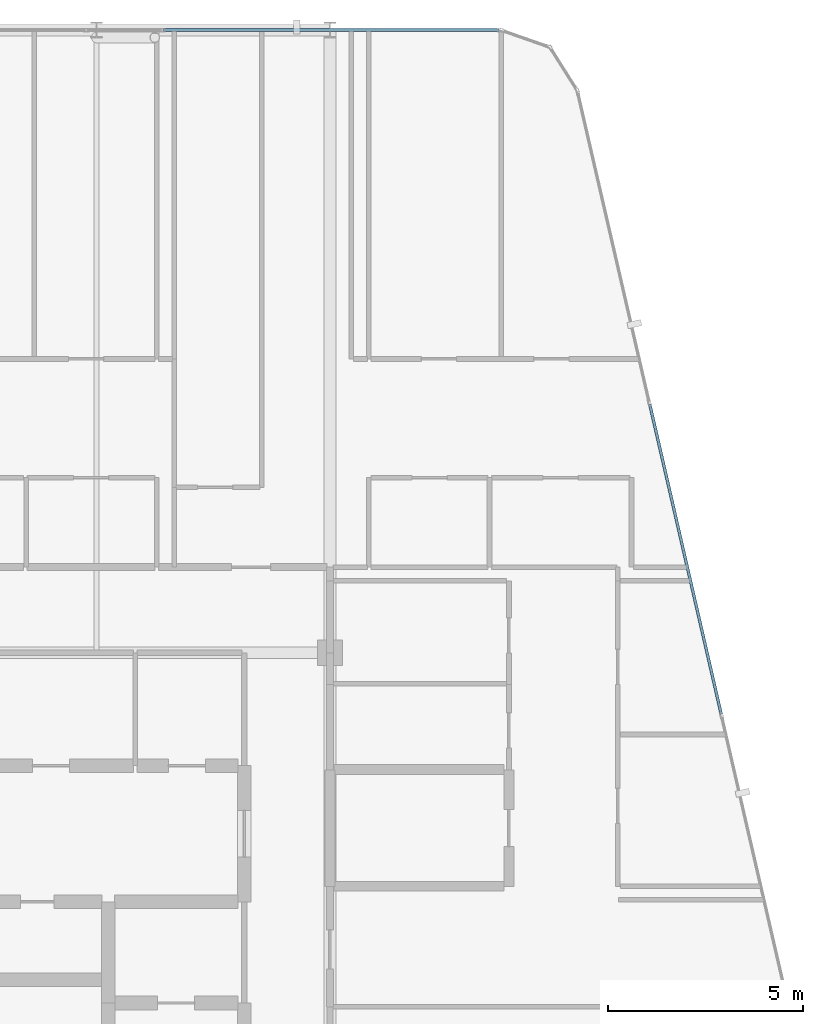
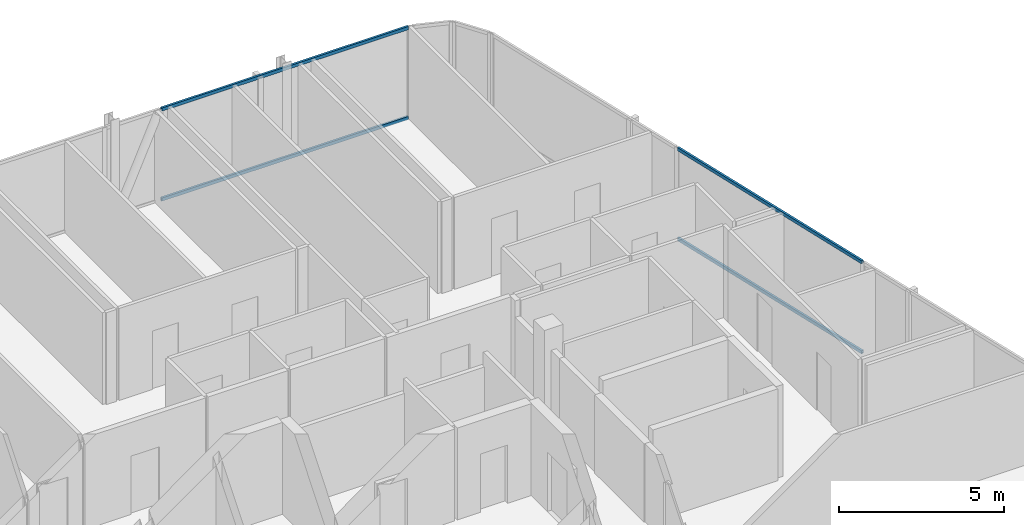
# One storey, part 18 of 28: 4 members, 2 elements without a shape of their own.
"""IFC4 building model written with IfcOpenShell, lengths in metres."""

from ifc_helpers import new_model, si_unit, direction, frame, origin, origin_2d, place, context, subcontext, project, spatial, hollow_rectangle, extrude, material, layer, layer_set, material_profile, profile_set, type_object, element, aggregate, save


model = new_model("IFC4")

# Units and contexts
model_context = context("Model", 3, precision=1e-05, world=origin(), true_north=direction((0.0, 1.0)))
body_context = subcontext(model_context, "Body", "Model", "MODEL_VIEW")
ifc_project = project(units=[si_unit("LENGTHUNIT", "METRE"), si_unit("AREAUNIT", "SQUARE_METRE"), si_unit("VOLUMEUNIT", "CUBIC_METRE"), si_unit("PLANEANGLEUNIT", "RADIAN"), si_unit("MASSUNIT", "GRAM", prefix="KILO")], contexts=[model_context])

# Site, building, storey
site_placement = place(None, origin())
site = spatial("IfcSite", under=ifc_project, at=site_placement, CompositionType="ELEMENT")
building_placement = place(site_placement, origin())
building = spatial("IfcBuilding", under=site, at=building_placement, Name="Keshet Zoharim Tower", CompositionType="ELEMENT")
storey_placement = place(building_placement, frame((0.0, 0.0, 303.60009765625)))
storey = spatial("IfcBuildingStorey", under=building, at=storey_placement, Name="L76", CompositionType="ELEMENT", Elevation=303.60009765625)

# Curtain wall, members
ifc_material = material(Name="Aluminium 6063-T6", Category="aluminium")
ifc_layer = layer(ifc_material, 0.260009765625)
ifc_layer_set = layer_set([ifc_layer], Name="Aluminium 6063-T6")
curtain_wall_type = type_object("IfcCurtainWallType", Name="CW-SYS-06", PredefinedType="NOTDEFINED", material=ifc_layer_set)
curtain_wall_1_placement = place(storey_placement, origin())
curtain_wall_1 = element("IfcCurtainWall", 1, at=curtain_wall_1_placement, inside=storey, type_object=curtain_wall_type, Name="L76 Unitised Curtain Wall 06 Part 5", PredefinedType="NOTDEFINED")
ifc_material_profile = material_profile(ifc_material, hollow_rectangle(XDim=0.074951171875, YDim=0.1201171875, WallThickness=0.00390625, at=origin_2d()), Name="TRN-75x120")
ifc_profile_set = profile_set([ifc_material_profile], Name="Aluminium 6063-T6")
member_type = type_object("IfcMemberType", Name="CWT-T12", PredefinedType="USERDEFINED", material=ifc_profile_set)
member_1_placement = place(storey_placement, frame((28.724853515625, 53.89990234375, 0.034912109375), z_axis=(1.0, 0.0, 0.0), x_axis=(0.0, 1.0, 0.0)))
member_1 = element("IfcMember", 2, at=member_1_placement, type_object=member_type, Name="CW-06 transom 1.1", ObjectType="TRANSOM", PredefinedType="USERDEFINED", context=body_context, shape_type="SweptSolid", body=[
    extrude(hollow_rectangle(XDim=0.074951171875, YDim=0.1201171875, WallThickness=0.00390625, at=origin_2d()), origin(), (0.0, 0.0, 1.0), 8.6142578125),
])
member_2_placement = place(storey_placement, frame((28.724853515625, 53.89990234375, 3.35498046875), z_axis=(1.0, 0.0, 0.0), x_axis=(0.0, 1.0, 0.0)))
member_2 = element("IfcMember", 3, at=member_2_placement, type_object=member_type, Name="CW-06 transom 1.2", ObjectType="TRANSOM", PredefinedType="USERDEFINED", context=body_context, shape_type="SweptSolid", body=[
    extrude(hollow_rectangle(XDim=0.074951171875, YDim=0.1201171875, WallThickness=0.00390625, at=origin_2d()), origin(), (0.0, 0.0, 1.0), 8.6142578125),
])
aggregate(curtain_wall_1, [member_1, member_2])

curtain_wall_2_placement = place(storey_placement, origin())
curtain_wall_2 = element("IfcCurtainWall", 4, at=curtain_wall_2_placement, inside=storey, type_object=curtain_wall_type, Name="L76 Unitised Curtain Wall 09", PredefinedType="NOTDEFINED")
member_3_placement = place(storey_placement, frame((41.218505859375, 44.28662109375, 0.034912109375), z_axis=(0.224826771459, -0.974398749402, 0.0), x_axis=(0.974398749402, 0.224826771459, 0.0)))
member_3 = element("IfcMember", 5, at=member_3_placement, type_object=member_type, Name="CW-06 transom 2.1", ObjectType="TRANSOM", PredefinedType="USERDEFINED", context=body_context, shape_type="SweptSolid", body=[
    extrude(hollow_rectangle(XDim=0.074951171875, YDim=0.1201171875, WallThickness=0.00390625, at=origin_2d()), origin(), (0.0, 0.0, 1.0), 8.17041015625),
])
member_4_placement = place(storey_placement, frame((41.218505859375, 44.28662109375, 3.35498046875), z_axis=(0.224826771459, -0.974398749402, 0.0), x_axis=(0.974398749402, 0.224826771459, 0.0)))
member_4 = element("IfcMember", 6, at=member_4_placement, type_object=member_type, Name="CW-06 transom 2.2", ObjectType="TRANSOM", PredefinedType="USERDEFINED", context=body_context, shape_type="SweptSolid", body=[
    extrude(hollow_rectangle(XDim=0.074951171875, YDim=0.1201171875, WallThickness=0.00390625, at=origin_2d()), origin(), (0.0, 0.0, 1.0), 8.17041015625),
])
aggregate(curtain_wall_2, [member_3, member_4])

save(model, "model.ifc")
